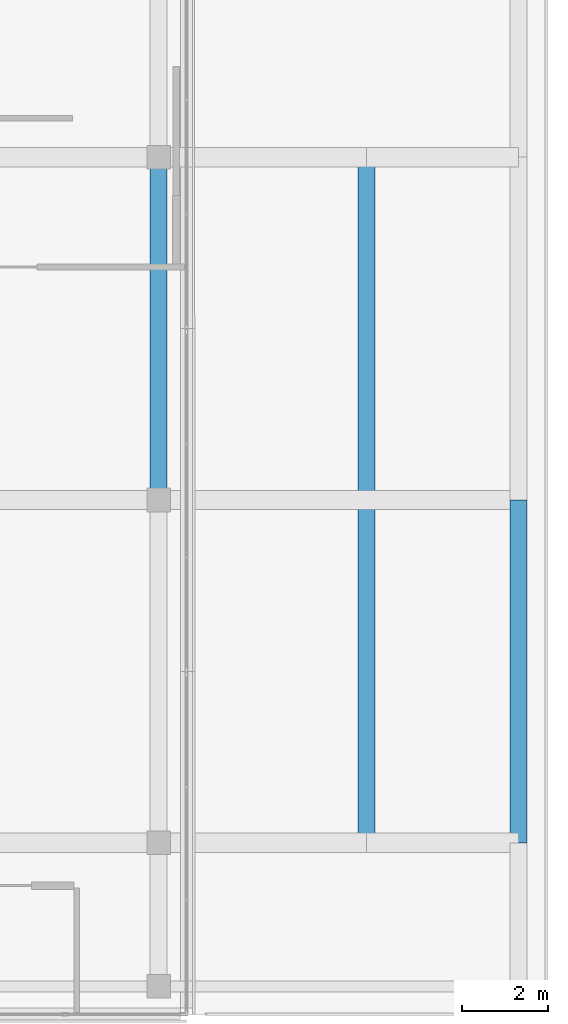
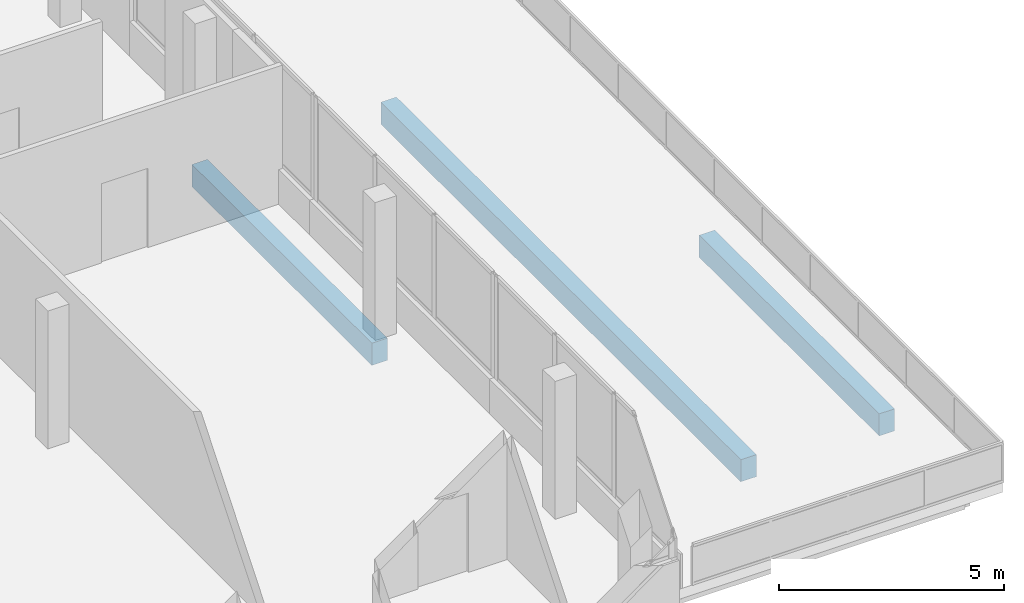
# One storey, part 47 of 67: 3 beams.
"""IFC4 building model written with IfcOpenShell, lengths in metres."""

from ifc_helpers import new_model, si_unit, direction, frame, origin, origin_2d, place, context, subcontext, project, spatial, rectangle, extrude, material, material_profile, profile_set, type_object, element, save


model = new_model("IFC4")

# Units and contexts
model_context = context("Model", 3, precision=1e-05, world=origin(), true_north=direction((0.0, 1.0)))
body_context = subcontext(model_context, "Body", "Model", "MODEL_VIEW")
ifc_project = project(units=[si_unit("LENGTHUNIT", "METRE"), si_unit("AREAUNIT", "SQUARE_METRE"), si_unit("VOLUMEUNIT", "CUBIC_METRE"), si_unit("PLANEANGLEUNIT", "RADIAN"), si_unit("MASSUNIT", "GRAM", prefix="KILO")], contexts=[model_context])

# Site, building, storey
site_placement = place(None, origin())
site = spatial("IfcSite", under=ifc_project, at=site_placement, CompositionType="ELEMENT")
building_placement = place(site_placement, origin())
building = spatial("IfcBuilding", under=site, at=building_placement, Name="Selatvlak General Hospital", CompositionType="ELEMENT")
storey_placement = place(building_placement, frame((0.0, 0.0, 35.39990234375)))
storey = spatial("IfcBuildingStorey", under=building, at=storey_placement, Name="L08", CompositionType="ELEMENT", Elevation=35.39990234375)

# Beams
ifc_material = material(Name="Concrete C40/50", Category="concrete")
ifc_material_profile = material_profile(ifc_material, rectangle(XDim=0.39990234375, YDim=0.60009765625, at=origin_2d()), Name="RC-BM 400x600")
ifc_profile_set = profile_set([ifc_material_profile], Name="Concrete C40/50")
beam_type = type_object("IfcBeamType", Name="BM-G05", PredefinedType="BEAM", material=ifc_profile_set)
beam_1_placement = place(storey_placement, frame((156.550048828125, 100.0, -0.56494140625), z_axis=(0.0, 1.0, 0.0), x_axis=(-1.0, 0.0, 0.0)))
element("IfcBeam", 1, at=beam_1_placement, inside=storey, type_object=beam_type, Name="Beam BMR-L08-2708", PredefinedType="BEAM", context=body_context, shape_type="SweptSolid", body=[
    extrude(rectangle(XDim=0.39990234375, YDim=0.60009765625, at=origin_2d()), origin(), (0.0, 0.0, 1.0), 8.0),
])
beam_2_placement = place(storey_placement, frame((161.39990234375, 92.0, -0.572021484375), z_axis=(0.0, 1.0, 0.0), x_axis=(-1.0, 0.0, 0.0)))
element("IfcBeam", 2, at=beam_2_placement, inside=storey, type_object=beam_type, Name="Beam BMR-L08-2710", PredefinedType="BEAM", context=body_context, shape_type="SweptSolid", body=[
    extrude(rectangle(XDim=0.39990234375, YDim=0.60009765625, at=origin_2d()), origin(), (0.0, 0.0, 1.0), 16.0),
])
beam_3_placement = place(storey_placement, frame((164.949951171875, 92.0, -0.572021484375), z_axis=(0.0, 1.0, 0.0), x_axis=(-1.0, 0.0, 0.0)))
element("IfcBeam", 3, at=beam_3_placement, inside=storey, type_object=beam_type, Name="Beam BMR-L08-2712", PredefinedType="BEAM", context=body_context, shape_type="SweptSolid", body=[
    extrude(rectangle(XDim=0.39990234375, YDim=0.60009765625, at=origin_2d()), origin(), (0.0, 0.0, 1.0), 8.0),
])

save(model, "model.ifc")
